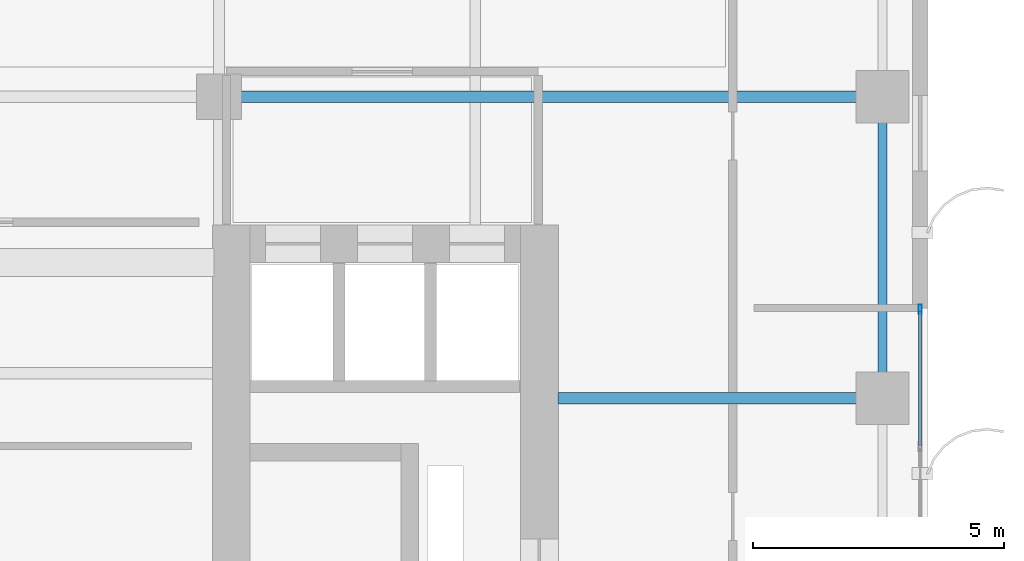
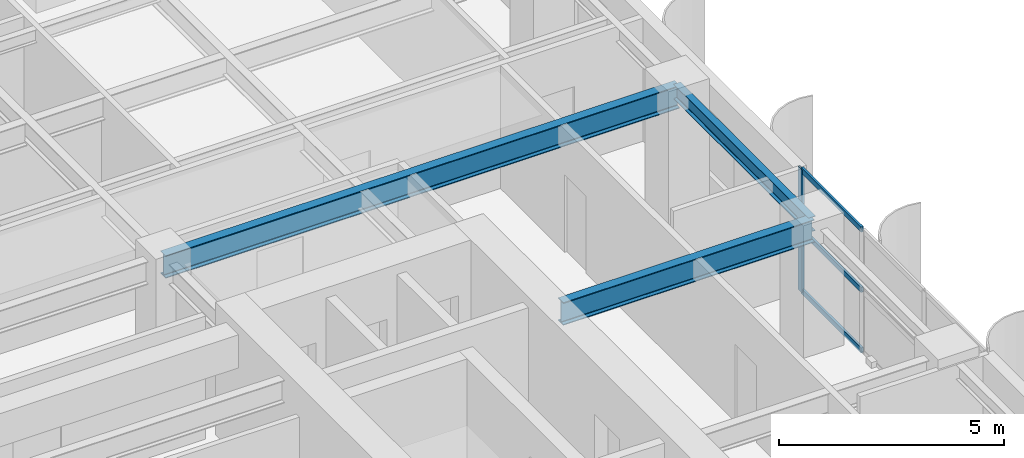
# One storey, part 7 of 22: 4 members, 3 beams, 1 element without a shape of its own.
"""IFC4 building model written with IfcOpenShell, lengths in metres."""

import ifcopenshell
import ifcopenshell.guid

model = None  # the IFC model being written
_history = None  # IfcOwnerHistory: only IFC2X3 demands one
_inside = {}  # id of a spatial element -> (the spatial element, [elements in it])
_under = {}  # id of a project, library or spatial element -> (it, [spatial elements below it])
_declared = {}  # id of a project -> (the project, [libraries it declares])
_typed = {}  # id of a type object -> (the type object, [elements of that type])
_made_of = {}  # id of a material, layer set ... -> (it, [elements and type objects made of it])


def new_model(schema):
    """Start an empty IFC model of exactly this schema.

    Asked for "IFC4X3", IfcOpenShell would pick the latest addendum, in which some entities
    have other attributes; the version numbers below select the first issue.
    IFC2X3 requires an IfcOwnerHistory on every rooted entity: one is made here for all.
    """
    global model, _history
    if schema == "IFC4X3":
        model = ifcopenshell.file(schema_version=(4, 3, 0, 0))
    else:
        model = ifcopenshell.file(schema=schema)
    _inside.clear()
    _under.clear()
    _declared.clear()
    _typed.clear()
    _made_of.clear()
    _history = None
    if model.schema == "IFC2X3":
        org = make("IfcOrganization", Name="unknown")
        user = make(
            "IfcPersonAndOrganization",
            ThePerson=make("IfcPerson", FamilyName="unknown"),
            TheOrganization=org,
        )
        app = make(
            "IfcApplication",
            ApplicationDeveloper=org,
            Version="unknown",
            ApplicationFullName="unknown",
            ApplicationIdentifier="unknown",
        )
        _history = make(
            "IfcOwnerHistory",
            OwningUser=user,
            OwningApplication=app,
            ChangeAction="ADDED",
            CreationDate=0,
        )
    return model


def make(cls, **values):
    """One entity of the class cls with the attributes given. An attribute that is None is left unset."""
    return model.create_entity(
        cls, **{name: value for name, value in values.items() if value is not None}
    )


def rooted(cls, **values):
    """An entity with a GlobalId (a new one), such as an element, a storey or a relation."""
    return make(cls, GlobalId=ifcopenshell.guid.new(), OwnerHistory=_history, **values)


def si_unit(unit_type, name, prefix=None):
    """IfcSIUnit, for example si_unit("LENGTHUNIT", "METRE", prefix="MILLI")."""
    return make("IfcSIUnit", UnitType=unit_type, Prefix=prefix, Name=name)


def assignment(units):
    """IfcUnitAssignment: the units of a project."""
    return None if units is None else make("IfcUnitAssignment", Units=units)


def point(xyz):
    """IfcCartesianPoint."""
    return None if xyz is None else make("IfcCartesianPoint", Coordinates=xyz)


def direction(xyz):
    """IfcDirection."""
    return None if xyz is None else make("IfcDirection", DirectionRatios=xyz)


def frame(location, z_axis=None, x_axis=None):
    """IfcAxis2Placement3D, a coordinate frame: its origin and axes. An axis left out is left unset."""
    return make(
        "IfcAxis2Placement3D",
        Location=point(location),
        Axis=direction(z_axis),
        RefDirection=direction(x_axis),
    )


def frame_2d(location, x_axis=None):
    """IfcAxis2Placement2D, a coordinate frame in the plane: its origin and x axis."""
    return make(
        "IfcAxis2Placement2D", Location=point(location), RefDirection=direction(x_axis)
    )


def origin():
    """The frame at (0, 0, 0) with its axes left unset."""
    return frame((0.0, 0.0, 0.0))


def origin_2d():
    """The frame at (0, 0) in the plane with its x axis left unset."""
    return frame_2d((0.0, 0.0))


def place(relative_to, where):
    """IfcLocalPlacement: puts the frame where relative to a parent placement (None: the world)."""
    return make(
        "IfcLocalPlacement", PlacementRelTo=relative_to, RelativePlacement=where
    )


def context(
    kind, dimensions, precision=None, world=None, true_north=None, identifier=None
):
    """IfcGeometricRepresentationContext, for example the 3D "Model" context."""
    return make(
        "IfcGeometricRepresentationContext",
        ContextIdentifier=identifier,
        ContextType=kind,
        CoordinateSpaceDimension=dimensions,
        Precision=precision,
        WorldCoordinateSystem=world,
        TrueNorth=true_north,
    )


def subcontext(parent, identifier, kind, view, scale=None):
    """IfcGeometricRepresentationSubContext, for example "Body" below "Model"."""
    return make(
        "IfcGeometricRepresentationSubContext",
        ContextIdentifier=identifier,
        ContextType=kind,
        ParentContext=parent,
        TargetScale=scale,
        TargetView=view,
    )


def project(units=None, contexts=None):
    """IfcProject with its units and contexts."""
    return rooted(
        "IfcProject",
        Name="project",
        RepresentationContexts=contexts,
        UnitsInContext=assignment(units),
    )


def spatial(cls, under=None, at=None, **own):
    """A site, building, storey or space (cls), placed at a placement, below another one or the project."""
    s = rooted(cls, ObjectPlacement=at, **own)
    if under is not None:
        _under.setdefault(under.id(), (under, []))[1].append(s)
    return s


def profile(cls, at=None, kind="AREA", **sizes):
    """A parametric profile (cls). Its sizes go by their IFC names, for example OverallWidth=200.0."""
    return make(cls, ProfileType=kind, Position=at, **sizes)


def hollow_rectangle(**sizes):
    """IfcRectangleHollowProfileDef."""
    return profile("IfcRectangleHollowProfileDef", **sizes)


def i_section(**sizes):
    """IfcIShapeProfileDef."""
    return profile("IfcIShapeProfileDef", **sizes)


def extrude(swept, where, along, depth):
    """IfcExtrudedAreaSolid: the profile swept, set in the frame where, extruded along a direction by depth."""
    return make(
        "IfcExtrudedAreaSolid",
        SweptArea=swept,
        Position=where,
        ExtrudedDirection=direction(along),
        Depth=depth,
    )


def shape(context_of_items, identifier, shape_type, items):
    """IfcShapeRepresentation: the items that make up one representation, for example the "Body"."""
    return make(
        "IfcShapeRepresentation",
        ContextOfItems=context_of_items,
        RepresentationIdentifier=identifier,
        RepresentationType=shape_type,
        Items=items,
    )


def source(mapping_origin, context_of_items, identifier, shape_type, items):
    """IfcRepresentationMap: a shape defined once, which mapped items show again and again."""
    return make(
        "IfcRepresentationMap",
        MappingOrigin=mapping_origin,
        MappedRepresentation=shape(context_of_items, identifier, shape_type, items),
    )


def transform(
    local_origin,
    x_axis=None,
    y_axis=None,
    z_axis=None,
    scale=None,
    scale2=None,
    scale3=None,
    uniform=True,
):
    """IfcCartesianTransformationOperator3D, or its non-uniform kind. x_axis, y_axis, z_axis: its Axis1, 2, 3."""
    if uniform:
        return make(
            "IfcCartesianTransformationOperator3D",
            Axis1=direction(x_axis),
            Axis2=direction(y_axis),
            LocalOrigin=point(local_origin),
            Scale=scale,
            Axis3=direction(z_axis),
        )
    return make(
        "IfcCartesianTransformationOperator3DnonUniform",
        Axis1=direction(x_axis),
        Axis2=direction(y_axis),
        LocalOrigin=point(local_origin),
        Scale=scale,
        Axis3=direction(z_axis),
        Scale2=scale2,
        Scale3=scale3,
    )


def mapped(mapping_source, mapping_target):
    """IfcMappedItem: shows the shape of a source again, moved by a transform."""
    return make(
        "IfcMappedItem", MappingSource=mapping_source, MappingTarget=mapping_target
    )


def material(Name=None, Category=None):
    """IfcMaterial."""
    return make("IfcMaterial", Name=Name, Category=Category)


def layer(
    of_material, thickness, ventilated=None, Name=None, Category=None, Priority=None
):
    """IfcMaterialLayer: one layer of a wall or slab, of a material (None: an air gap)."""
    return make(
        "IfcMaterialLayer",
        Material=of_material,
        LayerThickness=thickness,
        IsVentilated=ventilated,
        Name=Name,
        Category=Category,
        Priority=Priority,
    )


def layer_set(layers, Name=None):
    """IfcMaterialLayerSet."""
    return make("IfcMaterialLayerSet", MaterialLayers=layers, LayerSetName=Name)


def material_profile(
    of_material, cross_section, Name=None, Category=None, Priority=None
):
    """IfcMaterialProfile: a cross section and its material."""
    return make(
        "IfcMaterialProfile",
        Name=Name,
        Material=of_material,
        Profile=cross_section,
        Priority=Priority,
        Category=Category,
    )


def profile_set(profiles, Name=None, composite=None):
    """IfcMaterialProfileSet."""
    return make(
        "IfcMaterialProfileSet",
        Name=Name,
        MaterialProfiles=profiles,
        CompositeProfile=composite,
    )


def made_of(thing, what):
    """Note that an element or type object is made of a material, layer set ...; save() writes the relation."""
    if what is not None:
        _made_of.setdefault(what.id(), (what, []))[1].append(thing)
    return thing


def type_object(cls, material=None, **own):
    """A type object (cls), such as IfcWallType, which elements share."""
    return made_of(rooted(cls, **own), material)


def element(
    cls,
    number,
    at=None,
    inside=None,
    cuts=None,
    type_object=None,
    material=None,
    context=None,
    identifier="Body",
    shape_type=None,
    held_by="IfcProductDefinitionShape",
    body=None,
    shapes=None,
    **own,
):
    """One element of the class cls, such as IfcWall. Its Tag is "e" and its number.

    at: its placement. inside: the storey or other place that contains it. cuts: it is an
    opening in that element (IfcRelVoidsElement). A single representation is given by context,
    identifier, shape_type and body (its items); several are given by shapes. held_by: the class
    of the entity that holds the representations. save() writes the other relations.
    """
    e = rooted(cls, Tag="e%d" % number, ObjectPlacement=at, **own)
    if body is not None:
        shapes = [shape(context, identifier, shape_type, body)]
    if shapes is not None:
        e.Representation = make(held_by, Representations=shapes)
    if inside is not None:
        _inside.setdefault(inside.id(), (inside, []))[1].append(e)
    if cuts is not None:
        rooted(
            "IfcRelVoidsElement", RelatingBuildingElement=cuts, RelatedOpeningElement=e
        )
    if type_object is not None:
        _typed.setdefault(type_object.id(), (type_object, []))[1].append(e)
    return made_of(e, material)


def aggregate(whole, parts):
    """IfcRelAggregates: a whole, such as a stair, and the parts it consists of."""
    return rooted("IfcRelAggregates", RelatingObject=whole, RelatedObjects=parts)


def save(model, path):
    """Write the relations noted so far, then the file.

    IfcRelAggregates (storeys below a building ...), IfcRelContainedInSpatialStructure (elements
    in a storey), IfcRelDefinesByType, IfcRelAssociatesMaterial and IfcRelDeclares: one each for
    every whole, place, type object, material and project.
    """
    for whole, parts in _under.values():
        aggregate(whole, parts)
    for where, things in _inside.values():
        rooted(
            "IfcRelContainedInSpatialStructure",
            RelatedElements=things,
            RelatingStructure=where,
        )
    for kind, things in _typed.values():
        rooted("IfcRelDefinesByType", RelatedObjects=things, RelatingType=kind)
    for what, things in _made_of.values():
        rooted("IfcRelAssociatesMaterial", RelatedObjects=things, RelatingMaterial=what)
    for by, libraries in _declared.values():
        rooted("IfcRelDeclares", RelatingContext=by, RelatedDefinitions=libraries)
    model.write(path)


model = new_model("IFC4")

# Units and contexts
model_context = context("Model", 3, precision=1e-05, world=origin(), true_north=direction((0.0, 1.0)))
body_context = subcontext(model_context, "Body", "Model", "MODEL_VIEW")
ifc_project = project(units=[si_unit("LENGTHUNIT", "METRE"), si_unit("AREAUNIT", "SQUARE_METRE"), si_unit("VOLUMEUNIT", "CUBIC_METRE"), si_unit("PLANEANGLEUNIT", "RADIAN"), si_unit("MASSUNIT", "GRAM", prefix="KILO")], contexts=[model_context])

# Site, building, storey
site_placement = place(None, origin())
site = spatial("IfcSite", under=ifc_project, at=site_placement, CompositionType="ELEMENT")
building_placement = place(site_placement, origin())
building = spatial("IfcBuilding", under=site, at=building_placement, Name="Khoralis Quay Care Tower", CompositionType="ELEMENT")
storey_placement = place(building_placement, frame((0.0, 0.0, 101.699951171875)))
storey = spatial("IfcBuildingStorey", under=building, at=storey_placement, Name="L26", CompositionType="ELEMENT", Elevation=101.699951171875)

# Beams
ifc_material_1 = material(Name="Steel S355", Category="steel")
ifc_material_profile_1 = material_profile(ifc_material_1, i_section(OverallWidth=0.179931640625, OverallDepth=0.39990234375, WebThickness=0.008544921875, FlangeThickness=0.013427734375, FilletRadius=0.02099609375, at=origin_2d()), Name="Steel S355")
ifc_profile_set_1 = profile_set([ifc_material_profile_1], Name="Steel S355")
beam_type_1 = type_object("IfcBeamType", Name="BM-IPE400", PredefinedType="SPANDREL", material=ifc_profile_set_1)
shared_shape_1 = source(origin(), body_context, "Body", "SweptSolid", [
    extrude(i_section(OverallWidth=0.179931640625, OverallDepth=0.39990234375, WebThickness=0.008544921875, FlangeThickness=0.013427734375, FilletRadius=0.02099609375, at=origin_2d()), origin(), (0.0, 0.0, 1.0), 6.0),
])
beam_1_placement = place(storey_placement, frame((44.10009765625, 24.0, 3.14013671875), z_axis=(0.0, 1.0, 0.0), x_axis=(-1.0, 0.0, 0.0)))
element("IfcBeam", 1, at=beam_1_placement, inside=storey, type_object=beam_type_1, Name="BM-TSP-L26-19", PredefinedType="SPANDREL", context=body_context, shape_type="MappedRepresentation", body=[
    mapped(shared_shape_1, transform((0.0, 0.0, 0.0), scale=1.0)),
])
ifc_material_profile_2 = material_profile(ifc_material_1, i_section(OverallWidth=0.22998046875, OverallDepth=0.616943359375, WebThickness=0.01318359375, FlangeThickness=0.022216796875, FilletRadius=0.01806640625, at=origin_2d()), Name="Steel S355")
ifc_profile_set_2 = profile_set([ifc_material_profile_2], Name="Steel S355")
beam_type_2 = type_object("IfcBeamType", Name="BM-W610X140", PredefinedType="BEAM", material=ifc_profile_set_2)
shared_shape_2 = source(origin(), body_context, "Body", "SweptSolid", [
    extrude(i_section(OverallWidth=0.22998046875, OverallDepth=0.616943359375, WebThickness=0.01318359375, FlangeThickness=0.022216796875, FilletRadius=0.01806640625, at=origin_2d()), origin(), (0.0, 0.0, 1.0), 13.2001953125),
])
beam_2_placement = place(storey_placement, frame((30.89990234375, 30.0, 3.031494140625), z_axis=(1.0, 0.0, 0.0), x_axis=(0.0, 1.0, 0.0)))
element("IfcBeam", 2, at=beam_2_placement, inside=storey, type_object=beam_type_2, Name="BM-TGXE-L26-300", PredefinedType="BEAM", context=body_context, shape_type="MappedRepresentation", body=[
    mapped(shared_shape_2, transform((0.0, 0.0, 0.0), scale=1.0)),
])
shared_shape_3 = source(origin(), body_context, "Body", "SweptSolid", [
    extrude(i_section(OverallWidth=0.22998046875, OverallDepth=0.616943359375, WebThickness=0.01318359375, FlangeThickness=0.022216796875, FilletRadius=0.01806640625, at=origin_2d()), origin(), (0.0, 0.0, 1.0), 6.4521484375),
])
beam_3_placement = place(storey_placement, frame((37.64794921875, 24.0, 3.031494140625), z_axis=(1.0, 0.0, 0.0), x_axis=(0.0, 1.0, 0.0)))
element("IfcBeam", 3, at=beam_3_placement, inside=storey, type_object=beam_type_2, Name="BM-TGXE-L26-240", PredefinedType="BEAM", context=body_context, shape_type="MappedRepresentation", body=[
    mapped(shared_shape_3, transform((0.0, 0.0, 0.0), scale=1.0)),
])

# Curtain wall, members
ifc_material_2 = material(Name="Pale anodised aluminium", Category="aluminium")
ifc_layer = layer(ifc_material_2, 0.169921875)
ifc_layer_set = layer_set([ifc_layer], Name="Pale anodised aluminium")
curtain_wall_type = type_object("IfcCurtainWallType", Name="CW-SYS-Z2", PredefinedType="NOTDEFINED", material=ifc_layer_set)
curtain_wall_placement = place(storey_placement, origin())
curtain_wall = element("IfcCurtainWall", 4, at=curtain_wall_placement, inside=storey, type_object=curtain_wall_type, Name="L26 Unitised Curtain Wall CW-L26-P1-E5", PredefinedType="NOTDEFINED")
ifc_material_profile_3 = material_profile(ifc_material_2, hollow_rectangle(XDim=0.06494140625, YDim=0.179931640625, WallThickness=0.00390625, at=origin_2d()), Name="Pale anodised aluminium")
ifc_profile_set_3 = profile_set([ifc_material_profile_3], Name="Pale anodised aluminium")
member_type_1 = type_object("IfcMemberType", Name="CW-MUL-180", PredefinedType="MULLION", material=ifc_profile_set_3)
shared_shape_4 = source(origin(), body_context, "Body", "SweptSolid", [
    extrude(hollow_rectangle(XDim=0.06494140625, YDim=0.179931640625, WallThickness=0.00390625, at=origin_2d()), origin(), (0.0, 0.0, 1.0), 3.340087890625),
])
member_1_placement = place(storey_placement, frame((44.85009765625, 25.77001953125, 0.0), z_axis=(0.0, 0.0, 1.0), x_axis=(-1.0, 0.0, 0.0)))
member_1 = element("IfcMember", 5, at=member_1_placement, type_object=member_type_1, Name="CW2 mullion 4", PredefinedType="MULLION", context=body_context, shape_type="MappedRepresentation", body=[
    mapped(shared_shape_4, transform((0.0, 0.0, 0.0), scale=1.0)),
])
ifc_material_profile_4 = material_profile(ifc_material_2, hollow_rectangle(XDim=0.06005859375, YDim=0.139892578125, WallThickness=0.00390625, at=origin_2d()), Name="Pale anodised aluminium")
ifc_profile_set_4 = profile_set([ifc_material_profile_4], Name="Pale anodised aluminium")
member_type_2 = type_object("IfcMemberType", Name="CW-TRN-140", PredefinedType="USERDEFINED", material=ifc_profile_set_4)
shared_shape_5 = source(origin(), body_context, "Body", "SweptSolid", [
    extrude(hollow_rectangle(XDim=0.06005859375, YDim=0.139892578125, WallThickness=0.00390625, at=origin_2d()), origin(), (0.0, 0.0, 1.0), 2.6767578125),
])
member_2_placement = place(storey_placement, frame((44.85009765625, 23.063232421875, 0.030029296875), z_axis=(0.0, 1.0, 0.0), x_axis=(-1.0, 0.0, 0.0)))
member_2 = element("IfcMember", 6, at=member_2_placement, type_object=member_type_2, Name="CW2 transom 3.1", ObjectType="TRANSOM", PredefinedType="USERDEFINED", context=body_context, shape_type="MappedRepresentation", body=[
    mapped(shared_shape_5, transform((0.0, 0.0, 0.0), scale=1.0)),
])
member_3_placement = place(storey_placement, frame((44.85009765625, 23.063232421875, 1.670166015625), z_axis=(0.0, 1.0, 0.0), x_axis=(-1.0, 0.0, 0.0)))
member_3 = element("IfcMember", 7, at=member_3_placement, type_object=member_type_2, Name="CW2 transom 3.2", ObjectType="TRANSOM", PredefinedType="USERDEFINED", context=body_context, shape_type="MappedRepresentation", body=[
    mapped(shared_shape_5, transform((0.0, 0.0, 0.0), scale=1.0)),
])
member_4_placement = place(storey_placement, frame((44.85009765625, 23.063232421875, 3.31005859375), z_axis=(0.0, 1.0, 0.0), x_axis=(-1.0, 0.0, 0.0)))
member_4 = element("IfcMember", 8, at=member_4_placement, type_object=member_type_2, Name="CW2 transom 3.3", ObjectType="TRANSOM", PredefinedType="USERDEFINED", context=body_context, shape_type="MappedRepresentation", body=[
    mapped(shared_shape_5, transform((0.0, 0.0, 0.0), scale=1.0)),
])
aggregate(curtain_wall, [member_1, member_2, member_3, member_4])

save(model, "model.ifc")
